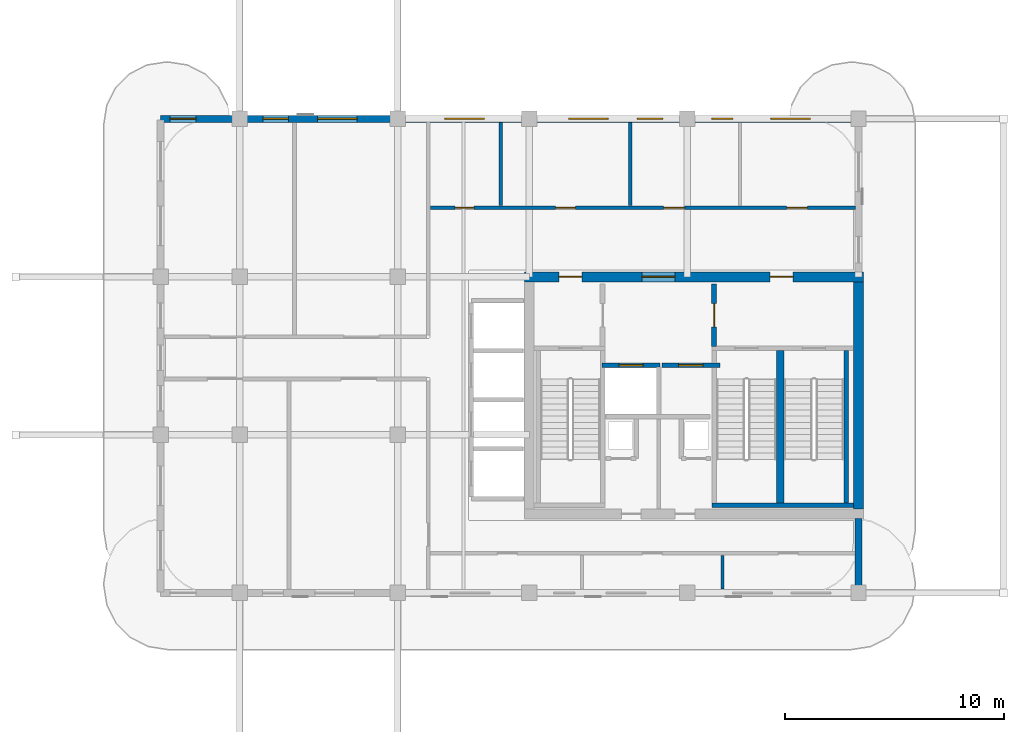
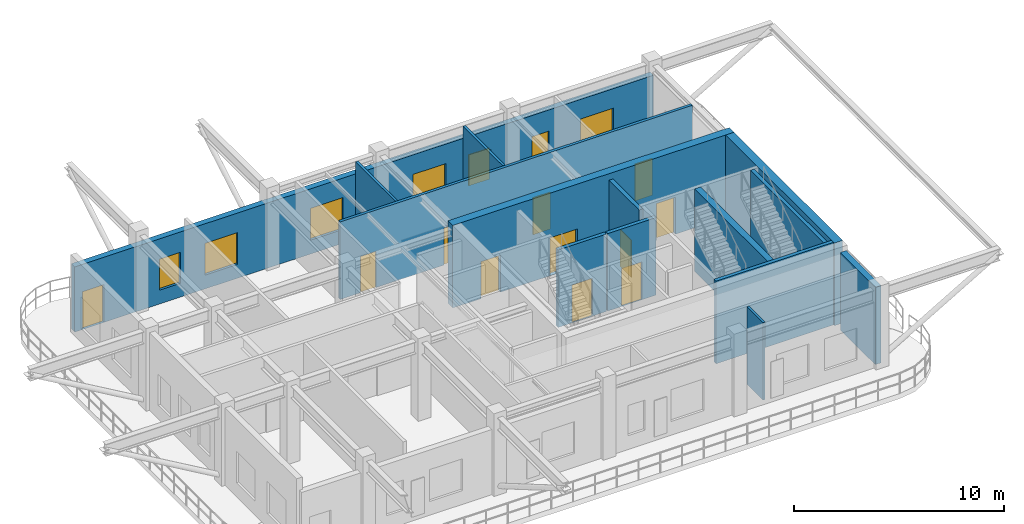
# One storey, part 4 of 8: 14 walls, 11 doors, 7 windows, 18 openings.
"""IFC4 building model written with IfcOpenShell, lengths in metres."""

from ifc_helpers import new_model, si_unit, derived_unit, direction, frame, frame_2d, origin, place, context, subcontext, project, spatial, rectangle, extrude, source, transform, mapped, material, layer, layer_set, type_object, type_shapes, element, fill, save


model = new_model("IFC4")

# Units and contexts
model_context = context("Model", 3, precision=1e-05, world=origin(), true_north=direction((0.0, 1.0)))
body_context = subcontext(model_context, "Body", "Model", "MODEL_VIEW")
ifc_project = project(units=[si_unit("LENGTHUNIT", "METRE"), si_unit("AREAUNIT", "SQUARE_METRE"), si_unit("VOLUMEUNIT", "CUBIC_METRE"), si_unit("PLANEANGLEUNIT", "RADIAN"), si_unit("MASSUNIT", "GRAM", prefix="KILO"), si_unit("THERMODYNAMICTEMPERATUREUNIT", "KELVIN"), si_unit("POWERUNIT", "WATT"), derived_unit("THERMALTRANSMITTANCEUNIT", [(si_unit("POWERUNIT", "WATT"), 1), (si_unit("AREAUNIT", "SQUARE_METRE"), -1), (si_unit("THERMODYNAMICTEMPERATUREUNIT", "KELVIN"), -1)])], contexts=[model_context])

# Site, building, storey
site_placement = place(None, origin())
site = spatial("IfcSite", under=ifc_project, at=site_placement, CompositionType="ELEMENT")
building_placement = place(site_placement, origin())
building = spatial("IfcBuilding", under=site, at=building_placement, Name="Zahravan Archway Hotel and Residences", CompositionType="ELEMENT")
storey_placement = place(building_placement, frame((0.0, 0.0, 294.300048828125)))
storey = spatial("IfcBuildingStorey", under=building, at=storey_placement, Name="L74", CompositionType="ELEMENT", Elevation=294.300048828125)

# Wall, openings, doors
ifc_material_1 = material(Name="Concrete C50/60", Category="concrete")
ifc_layer_1 = layer(ifc_material_1, 0.449951171875, Name="Concrete C50/60", Category="concrete")
ifc_layer_set_1 = layer_set([ifc_layer_1], Name="Concrete C50/60")
wall_type_1 = type_object("IfcWallType", Name="CW-CORE-450", PredefinedType="SHEAR", material=ifc_layer_set_1)
wall_1_placement = place(storey_placement, frame((34.574951171875, 14.39990234375, 0.0), z_axis=(0.0, 0.0, 1.0), x_axis=(1.0, 0.0, 0.0)))
wall_1 = element("IfcWall", 1, at=wall_1_placement, inside=storey, type_object=wall_type_1, Name="L74 Core A Shear N Wall 450 mm", PredefinedType="SHEAR", context=body_context, shape_type="SweptSolid", body=[
    extrude(rectangle(XDim=15.449951171875, YDim=0.449951171875, at=frame_2d((7.72509765625, 0.0))), origin(), (0.0, 0.0, 1.0), 4.800048828125),
])
opening_1_placement = place(wall_1_placement, frame((5.35498046875, 0.0, 0.0)))
opening_1 = element("IfcOpeningElement", 2, at=opening_1_placement, cuts=wall_1, Name="Opening FD-L1", PredefinedType="OPENING", context=body_context, shape_type="SweptSolid", body=[
    extrude(rectangle(XDim=1.5, YDim=2.199951171875, at=frame_2d((0.75, 1.10009765625))), frame((0.0, 0.23486328125, 0.0), z_axis=(0.0, -1.0, 0.0), x_axis=(1.0, 0.0, 0.0)), (0.0, 0.0, 1.0), 0.469970703125),
])
opening_2_placement = place(wall_1_placement, frame((1.570068359375, 0.0, 0.0)))
opening_2 = element("IfcOpeningElement", 3, at=opening_2_placement, cuts=wall_1, Name="Opening FD-L2", PredefinedType="OPENING", context=body_context, shape_type="SweptSolid", body=[
    extrude(rectangle(XDim=1.050048828125, YDim=2.14990234375, at=frame_2d((0.52490234375, 1.074951171875))), frame((0.0, 0.23486328125, 0.0), z_axis=(0.0, -1.0, 0.0), x_axis=(1.0, 0.0, 0.0)), (0.0, 0.0, 1.0), 0.469970703125),
])
opening_3_placement = place(wall_1_placement, frame((11.199951171875, 0.0, 0.0)))
opening_3 = element("IfcOpeningElement", 4, at=opening_3_placement, cuts=wall_1, Name="Opening FD-L2", PredefinedType="OPENING", context=body_context, shape_type="SweptSolid", body=[
    extrude(rectangle(XDim=1.050048828125, YDim=2.14990234375, at=frame_2d((0.52490234375, 1.074951171875))), frame((0.0, 0.23486328125, 0.0), z_axis=(0.0, -1.0, 0.0), x_axis=(1.0, 0.0, 0.0)), (0.0, 0.0, 1.0), 0.469970703125),
])
ifc_material_2 = material(Name="Fire-Rated Painted Steel", Category="steel")
door_type_1 = type_object("IfcDoorType", Name="FD-LOBBY-1100", OperationType="NOTDEFINED", PredefinedType="DOOR", material=ifc_material_2)
shared_shape_1 = source(origin(), body_context, "Body", "SweptSolid", [
    extrude(rectangle(XDim=1.050048828125, YDim=2.14990234375, at=frame_2d((0.52490234375, 1.074951171875))), frame((0.0, 0.02490234375, 0.0), z_axis=(0.0, -1.0, 0.0), x_axis=(1.0, 0.0, 0.0)), (0.0, 0.0, 1.0), 0.050048828125),
])
type_shapes(door_type_1, [shared_shape_1])
door_1_placement = place(opening_2_placement, origin())
door_1 = element("IfcDoor", 5, at=door_1_placement, inside=storey, type_object=door_type_1, Name="L74 Core A West Stair Lobby Door", OperationType="SINGLE_SWING_LEFT", OverallHeight=2.14990234375, OverallWidth=1.050048828125, PredefinedType="DOOR", context=body_context, shape_type="MappedRepresentation", body=[
    mapped(shared_shape_1, transform((0.0, 0.0, 0.0), scale=1.0)),
])
fill(opening_2, door_1)
door_2_placement = place(opening_3_placement, origin())
door_2 = element("IfcDoor", 6, at=door_2_placement, inside=storey, type_object=door_type_1, Name="L74 Core A East Stair Lobby Door", OperationType="SINGLE_SWING_RIGHT", OverallHeight=2.14990234375, OverallWidth=1.050048828125, PredefinedType="DOOR", context=body_context, shape_type="MappedRepresentation", body=[
    mapped(shared_shape_1, transform((0.0, 0.0, 0.0), scale=1.0)),
])
fill(opening_3, door_2)
door_type_2 = type_object("IfcDoorType", Name="FD-LOBBY-1500", OperationType="DOUBLE_DOOR_SINGLE_SWING", PredefinedType="DOOR", material=ifc_material_2)
shared_shape_2 = source(origin(), body_context, "Body", "SweptSolid", [
    extrude(rectangle(XDim=1.5, YDim=2.199951171875, at=frame_2d((0.75, 1.10009765625))), frame((0.0, 0.02490234375, 0.0), z_axis=(0.0, -1.0, 0.0), x_axis=(1.0, 0.0, 0.0)), (0.0, 0.0, 1.0), 0.050048828125),
])
type_shapes(door_type_2, [shared_shape_2])
door_3_placement = place(opening_1_placement, origin())
door_3 = element("IfcDoor", 7, at=door_3_placement, inside=storey, type_object=door_type_2, Name="L74 Core A FSAE Lobby Main Door", OperationType="DOUBLE_DOOR_SINGLE_SWING", OverallHeight=2.199951171875, OverallWidth=1.5, PredefinedType="DOOR", context=body_context, shape_type="MappedRepresentation", body=[
    mapped(shared_shape_2, transform((0.0, 0.0, 0.0), scale=1.0)),
])
fill(opening_1, door_3)

# Walls
wall_2_placement = place(storey_placement, frame((49.800048828125, 3.824951171875, 0.0), z_axis=(0.0, 0.0, 1.0), x_axis=(0.0, 1.0, 0.0)))
element("IfcWall", 8, at=wall_2_placement, inside=storey, type_object=wall_type_1, Name="L74 Core A Shear E Wall 450 mm", PredefinedType="SHEAR", context=body_context, shape_type="SweptSolid", body=[
    extrude(rectangle(XDim=10.35009765625, YDim=0.449951171875, at=frame_2d((5.175048828125, 0.0))), origin(), (0.0, 0.0, 1.0), 4.800048828125),
])
ifc_material_3 = material(Name="Agra Buff Sandstone & Insulated Backup", Category="masonry")
ifc_layer_2 = layer(ifc_material_3, 0.320068359375, Name="Agra Buff Sandstone & Insulated Backup", Category="masonry")
ifc_layer_set_2 = layer_set([ifc_layer_2], Name="Agra Buff Sandstone & Insulated Backup")
wall_type_2 = type_object("IfcWallType", Name="EW-SAND-320", PredefinedType="SOLIDWALL", material=ifc_layer_set_2)
wall_3_placement = place(storey_placement, frame((49.800048828125, 0.050048828125, 0.0), z_axis=(0.0, 0.0, 1.0), x_axis=(0.0, 1.0, 0.0)))
element("IfcWall", 9, at=wall_3_placement, inside=storey, type_object=wall_type_2, Name="L74 Exterior Sandstone Wall WA-ES", PredefinedType="SOLIDWALL", context=body_context, shape_type="SweptSolid", body=[
    extrude(rectangle(XDim=3.329833984375, YDim=0.320068359375, at=frame_2d((1.6650390625, 0.0))), origin(), (0.0, 0.0, 1.0), 4.5),
])

# Wall, openings, door, windows
wall_4_placement = place(storey_placement, frame((18.0, 21.60009765625, 0.0), z_axis=(0.0, 0.0, 1.0), x_axis=(1.0, 0.0, 0.0)))
wall_4 = element("IfcWall", 10, at=wall_4_placement, inside=storey, type_object=wall_type_2, Name="L74 Exterior Sandstone Wall WA-N", PredefinedType="SOLIDWALL", context=body_context, shape_type="SweptSolid", body=[
    extrude(rectangle(XDim=31.800048828125, YDim=0.320068359375, at=frame_2d((15.89990234375, 0.0))), origin(), (0.0, 0.0, 1.0), 3.784912109375),
])
opening_4_placement = place(wall_4_placement, frame((0.419921875, 0.0, 0.0)))
opening_4 = element("IfcOpeningElement", 11, at=opening_4_placement, cuts=wall_4, Name="Opening ED-BL1", PredefinedType="OPENING", context=body_context, shape_type="SweptSolid", body=[
    extrude(rectangle(XDim=1.199951171875, YDim=2.199951171875, at=frame_2d((0.60009765625, 1.10009765625))), frame((0.0, 0.169921875, 0.0), z_axis=(0.0, -1.0, 0.0), x_axis=(1.0, 0.0, 0.0)), (0.0, 0.0, 1.0), 0.340087890625),
])
opening_5_placement = place(wall_4_placement, frame((4.6708984375, 0.0, 0.800048828125)))
opening_5 = element("IfcOpeningElement", 12, at=opening_5_placement, cuts=wall_4, Name="Opening W-05", PredefinedType="OPENING", context=body_context, shape_type="SweptSolid", body=[
    extrude(rectangle(XDim=1.14990234375, YDim=1.800048828125, at=frame_2d((0.574951171875, 0.89990234375))), frame((0.0, 0.169921875, 0.0), z_axis=(0.0, -1.0, 0.0), x_axis=(1.0, 0.0, 0.0)), (0.0, 0.0, 1.0), 0.340087890625),
])
opening_6_placement = place(wall_4_placement, frame((7.154052734375, 0.0, 0.800048828125)))
opening_6 = element("IfcOpeningElement", 13, at=opening_6_placement, cuts=wall_4, Name="Opening W-02", PredefinedType="OPENING", context=body_context, shape_type="SweptSolid", body=[
    extrude(rectangle(XDim=1.800048828125, YDim=1.85009765625, at=frame_2d((0.89990234375, 0.925048828125))), frame((0.0, 0.169921875, 0.0), z_axis=(0.0, -1.0, 0.0), x_axis=(1.0, 0.0, 0.0)), (0.0, 0.0, 1.0), 0.340087890625),
])
opening_7_placement = place(wall_4_placement, frame((12.949951171875, 0.0, 0.800048828125)))
opening_7 = element("IfcOpeningElement", 14, at=opening_7_placement, cuts=wall_4, Name="Opening W-02", PredefinedType="OPENING", context=body_context, shape_type="SweptSolid", body=[
    extrude(rectangle(XDim=1.800048828125, YDim=1.85009765625, at=frame_2d((0.89990234375, 0.925048828125))), frame((0.0, 0.169921875, 0.0), z_axis=(0.0, -1.0, 0.0), x_axis=(1.0, 0.0, 0.0)), (0.0, 0.0, 1.0), 0.340087890625),
])
opening_8_placement = place(wall_4_placement, frame((18.595947265625, 0.0, 0.800048828125)))
opening_8 = element("IfcOpeningElement", 15, at=opening_8_placement, cuts=wall_4, Name="Opening W-02", PredefinedType="OPENING", context=body_context, shape_type="SweptSolid", body=[
    extrude(rectangle(XDim=1.800048828125, YDim=1.85009765625, at=frame_2d((0.89990234375, 0.925048828125))), frame((0.0, 0.169921875, 0.0), z_axis=(0.0, -1.0, 0.0), x_axis=(1.0, 0.0, 0.0)), (0.0, 0.0, 1.0), 0.340087890625),
])
opening_9_placement = place(wall_4_placement, frame((21.72900390625, 0.0, 0.800048828125)))
opening_9 = element("IfcOpeningElement", 16, at=opening_9_placement, cuts=wall_4, Name="Opening W-05", PredefinedType="OPENING", context=body_context, shape_type="SweptSolid", body=[
    extrude(rectangle(XDim=1.14990234375, YDim=1.800048828125, at=frame_2d((0.574951171875, 0.89990234375))), frame((0.0, 0.169921875, 0.0), z_axis=(0.0, -1.0, 0.0), x_axis=(1.0, 0.0, 0.0)), (0.0, 0.0, 1.0), 0.340087890625),
])
opening_10_placement = place(wall_4_placement, frame((25.12109375, 0.0, 0.800048828125)))
opening_10 = element("IfcOpeningElement", 17, at=opening_10_placement, cuts=wall_4, Name="Opening W-04", PredefinedType="OPENING", context=body_context, shape_type="SweptSolid", body=[
    extrude(rectangle(XDim=0.949951171875, YDim=1.75, at=frame_2d((0.47509765625, 0.875))), frame((0.0, 0.169921875, 0.0), z_axis=(0.0, -1.0, 0.0), x_axis=(1.0, 0.0, 0.0)), (0.0, 0.0, 1.0), 0.340087890625),
])
opening_11_placement = place(wall_4_placement, frame((27.803955078125, 0.0, 0.800048828125)))
opening_11 = element("IfcOpeningElement", 18, at=opening_11_placement, cuts=wall_4, Name="Opening W-02", PredefinedType="OPENING", context=body_context, shape_type="SweptSolid", body=[
    extrude(rectangle(XDim=1.800048828125, YDim=1.85009765625, at=frame_2d((0.89990234375, 0.925048828125))), frame((0.0, 0.169921875, 0.0), z_axis=(0.0, -1.0, 0.0), x_axis=(1.0, 0.0, 0.0)), (0.0, 0.0, 1.0), 0.340087890625),
])
ifc_material_4 = material(Name="Bronze-Anodized Glazed Aluminium", Category="aluminium")
door_type_3 = type_object("IfcDoorType", Name="ED-BALC-1200", OperationType="SLIDING_TO_LEFT", PredefinedType="DOOR", material=ifc_material_4)
shared_shape_3 = source(origin(), body_context, "Body", "SweptSolid", [
    extrude(rectangle(XDim=1.199951171875, YDim=2.199951171875, at=frame_2d((0.60009765625, 1.10009765625))), frame((0.0, 0.02490234375, 0.0), z_axis=(0.0, -1.0, 0.0), x_axis=(1.0, 0.0, 0.0)), (0.0, 0.0, 1.0), 0.050048828125),
])
type_shapes(door_type_3, [shared_shape_3])
door_4_placement = place(opening_4_placement, origin())
door_4 = element("IfcDoor", 19, at=door_4_placement, inside=storey, type_object=door_type_3, Name="L74 Outdoor Access Sliding Door (SLB-BAL-L74-WA)", OperationType="SLIDING_TO_LEFT", OverallHeight=2.199951171875, OverallWidth=1.199951171875, PredefinedType="DOOR", context=body_context, shape_type="MappedRepresentation", body=[
    mapped(shared_shape_3, transform((0.0, 0.0, 0.0), scale=1.0)),
])
fill(opening_4, door_4)
ifc_material_5 = material(Name="Bronze-Anodized Thermal-Break Aluminium & Low-E Glass", Category="aluminium")
window_type_1 = type_object("IfcWindowType", Name="WIN-NAR-950", PartitioningType="SINGLE_PANEL", PredefinedType="WINDOW", material=ifc_material_5)
shared_shape_4 = source(origin(), body_context, "Body", "SweptSolid", [
    extrude(rectangle(XDim=0.949951171875, YDim=1.75, at=frame_2d((0.47509765625, 0.875))), frame((0.0, 0.030029296875, 0.0), z_axis=(0.0, -1.0, 0.0), x_axis=(1.0, 0.0, 0.0)), (0.0, 0.0, 1.0), 0.06005859375),
])
type_shapes(window_type_1, [shared_shape_4])
window_1_placement = place(opening_10_placement, origin())
window_1 = element("IfcWindow", 20, at=window_1_placement, inside=storey, type_object=window_type_1, Name="L74 Loggia Window 14", OverallHeight=1.75, OverallWidth=0.949951171875, PartitioningType="SINGLE_PANEL", PredefinedType="WINDOW", context=body_context, shape_type="MappedRepresentation", body=[
    mapped(shared_shape_4, transform((0.0, 0.0, 0.0), scale=1.0)),
])
fill(opening_10, window_1)
window_type_2 = type_object("IfcWindowType", Name="WIN-TWR-1800", PartitioningType="DOUBLE_PANEL_VERTICAL", PredefinedType="WINDOW", material=ifc_material_5)
shared_shape_5 = source(origin(), body_context, "Body", "SweptSolid", [
    extrude(rectangle(XDim=1.800048828125, YDim=1.85009765625, at=frame_2d((0.89990234375, 0.925048828125))), frame((0.0, 0.030029296875, 0.0), z_axis=(0.0, -1.0, 0.0), x_axis=(1.0, 0.0, 0.0)), (0.0, 0.0, 1.0), 0.06005859375),
])
type_shapes(window_type_2, [shared_shape_5])
window_2_placement = place(opening_6_placement, origin())
window_2 = element("IfcWindow", 21, at=window_2_placement, inside=storey, type_object=window_type_2, Name="L74 Loggia Window 10", OverallHeight=1.85009765625, OverallWidth=1.800048828125, PartitioningType="DOUBLE_PANEL_VERTICAL", PredefinedType="WINDOW", context=body_context, shape_type="MappedRepresentation", body=[
    mapped(shared_shape_5, transform((0.0, 0.0, 0.0), scale=1.0)),
])
fill(opening_6, window_2)
window_3_placement = place(opening_7_placement, origin())
window_3 = element("IfcWindow", 22, at=window_3_placement, inside=storey, type_object=window_type_2, Name="L74 Loggia Window 11", OverallHeight=1.85009765625, OverallWidth=1.800048828125, PartitioningType="DOUBLE_PANEL_VERTICAL", PredefinedType="WINDOW", context=body_context, shape_type="MappedRepresentation", body=[
    mapped(shared_shape_5, transform((0.0, 0.0, 0.0), scale=1.0)),
])
fill(opening_7, window_3)
window_4_placement = place(opening_8_placement, origin())
window_4 = element("IfcWindow", 23, at=window_4_placement, inside=storey, type_object=window_type_2, Name="L74 Loggia Window 12", OverallHeight=1.85009765625, OverallWidth=1.800048828125, PartitioningType="DOUBLE_PANEL_VERTICAL", PredefinedType="WINDOW", context=body_context, shape_type="MappedRepresentation", body=[
    mapped(shared_shape_5, transform((0.0, 0.0, 0.0), scale=1.0)),
])
fill(opening_8, window_4)
window_5_placement = place(opening_11_placement, origin())
window_5 = element("IfcWindow", 24, at=window_5_placement, inside=storey, type_object=window_type_2, Name="L74 Loggia Window 15", OverallHeight=1.85009765625, OverallWidth=1.800048828125, PartitioningType="DOUBLE_PANEL_VERTICAL", PredefinedType="WINDOW", context=body_context, shape_type="MappedRepresentation", body=[
    mapped(shared_shape_5, transform((0.0, 0.0, 0.0), scale=1.0)),
])
fill(opening_11, window_5)
window_type_3 = type_object("IfcWindowType", Name="WIN-TWR-1150", PartitioningType="SINGLE_PANEL", PredefinedType="WINDOW", material=ifc_material_5)
shared_shape_6 = source(origin(), body_context, "Body", "SweptSolid", [
    extrude(rectangle(XDim=1.14990234375, YDim=1.800048828125, at=frame_2d((0.574951171875, 0.89990234375))), frame((0.0, 0.030029296875, 0.0), z_axis=(0.0, -1.0, 0.0), x_axis=(1.0, 0.0, 0.0)), (0.0, 0.0, 1.0), 0.06005859375),
])
type_shapes(window_type_3, [shared_shape_6])
window_6_placement = place(opening_5_placement, origin())
window_6 = element("IfcWindow", 25, at=window_6_placement, inside=storey, type_object=window_type_3, Name="L74 Loggia Window 09", OverallHeight=1.800048828125, OverallWidth=1.14990234375, PartitioningType="SINGLE_PANEL", PredefinedType="WINDOW", context=body_context, shape_type="MappedRepresentation", body=[
    mapped(shared_shape_6, transform((0.0, 0.0, 0.0), scale=1.0)),
])
fill(opening_5, window_6)
window_7_placement = place(opening_9_placement, origin())
window_7 = element("IfcWindow", 26, at=window_7_placement, inside=storey, type_object=window_type_3, Name="L74 Loggia Window 13", OverallHeight=1.800048828125, OverallWidth=1.14990234375, PartitioningType="SINGLE_PANEL", PredefinedType="WINDOW", context=body_context, shape_type="MappedRepresentation", body=[
    mapped(shared_shape_6, transform((0.0, 0.0, 0.0), scale=1.0)),
])
fill(opening_9, window_7)

# Wall, opening, door
ifc_material_6 = material(Name="Fire-Rated Gypsum & Concrete Block", Category="concrete")
ifc_layer_3 = layer(ifc_material_6, 0.219970703125, Name="Fire-Rated Gypsum & Concrete Block", Category="concrete")
ifc_layer_set_3 = layer_set([ifc_layer_3], Name="Fire-Rated Gypsum & Concrete Block")
wall_type_3 = type_object("IfcWallType", Name="PW-COMP-220", PredefinedType="PARTITIONING", material=ifc_layer_set_3)
wall_5_placement = place(storey_placement, frame((43.219970703125, 11.219970703125, 0.0), z_axis=(0.0, 0.0, 1.0), x_axis=(0.0, 1.0, 0.0)))
wall_5 = element("IfcWall", 27, at=wall_5_placement, inside=storey, type_object=wall_type_3, Name="L74 Partition CA-LOBE", PredefinedType="PARTITIONING", context=body_context, shape_type="SweptSolid", body=[
    extrude(rectangle(XDim=2.860107421875, YDim=0.219970703125, at=frame_2d((1.43017578125, 0.0))), origin(), (0.0, 0.0, 1.0), 4.5),
])
opening_12_placement = place(wall_5_placement, frame((0.905029296875, 0.0, 0.0)))
opening_12 = element("IfcOpeningElement", 28, at=opening_12_placement, cuts=wall_5, Name="Opening FD-L2", PredefinedType="OPENING", context=body_context, shape_type="SweptSolid", body=[
    extrude(rectangle(XDim=1.050048828125, YDim=2.14990234375, at=frame_2d((0.52490234375, 1.074951171875))), frame((0.0, 0.1201171875, 0.0), z_axis=(0.0, -1.0, 0.0), x_axis=(1.0, 0.0, 0.0)), (0.0, 0.0, 1.0), 0.239990234375),
])
door_5_placement = place(opening_12_placement, origin())
door_5 = element("IfcDoor", 29, at=door_5_placement, inside=storey, type_object=door_type_1, Name="L74 Core A East Stair to FSAE Lobby Door", OperationType="SINGLE_SWING_RIGHT", OverallHeight=2.14990234375, OverallWidth=1.050048828125, PredefinedType="DOOR", context=body_context, shape_type="MappedRepresentation", body=[
    mapped(shared_shape_1, transform((0.0, 0.0, 0.0), scale=1.0)),
])
fill(opening_12, door_5)

# Wall, openings, doors
ifc_layer_4 = layer(ifc_material_6, 0.159912109375, Name="Fire-Rated Gypsum & Concrete Block", Category="concrete")
ifc_layer_set_4 = layer_set([ifc_layer_4], Name="Fire-Rated Gypsum & Concrete Block")
wall_type_4 = type_object("IfcWallType", Name="PW-CORR-160", PredefinedType="PARTITIONING", material=ifc_layer_set_4)
wall_6_placement = place(storey_placement, frame((30.2900390625, 17.550048828125, 0.0), z_axis=(0.0, 0.0, 1.0), x_axis=(1.0, 0.0, 0.0)))
wall_6 = element("IfcWall", 30, at=wall_6_placement, inside=storey, type_object=wall_type_4, Name="L74 Partition WA-FN", PredefinedType="PARTITIONING", context=body_context, shape_type="SweptSolid", body=[
    extrude(rectangle(XDim=19.369873046875, YDim=0.159912109375, at=frame_2d((9.68505859375, 0.0))), origin(), (0.0, 0.0, 1.0), 4.5),
])
opening_13_placement = place(wall_6_placement, frame((1.135009765625, 0.0, 0.0)))
opening_13 = element("IfcOpeningElement", 31, at=opening_13_placement, cuts=wall_6, Name="Opening D-B1", PredefinedType="OPENING", context=body_context, shape_type="SweptSolid", body=[
    extrude(rectangle(XDim=0.85009765625, YDim=2.10009765625, at=frame_2d((0.425048828125, 1.050048828125))), frame((0.0, 0.08984375, 0.0), z_axis=(0.0, -1.0, 0.0), x_axis=(1.0, 0.0, 0.0)), (0.0, 0.0, 1.0), 0.179931640625),
])
opening_14_placement = place(wall_6_placement, frame((5.7099609375, 0.0, 0.0)))
opening_14 = element("IfcOpeningElement", 32, at=opening_14_placement, cuts=wall_6, Name="Opening D-I2", PredefinedType="OPENING", context=body_context, shape_type="SweptSolid", body=[
    extrude(rectangle(XDim=0.89990234375, YDim=2.14990234375, at=frame_2d((0.449951171875, 1.074951171875))), frame((0.0, 0.08984375, 0.0), z_axis=(0.0, -1.0, 0.0), x_axis=(1.0, 0.0, 0.0)), (0.0, 0.0, 1.0), 0.179931640625),
])
opening_15_placement = place(wall_6_placement, frame((10.635009765625, 0.0, 0.0)))
opening_15 = element("IfcOpeningElement", 33, at=opening_15_placement, cuts=wall_6, Name="Opening D-I1", PredefinedType="OPENING", context=body_context, shape_type="SweptSolid", body=[
    extrude(rectangle(XDim=0.949951171875, YDim=2.14990234375, at=frame_2d((0.47509765625, 1.074951171875))), frame((0.0, 0.08984375, 0.0), z_axis=(0.0, -1.0, 0.0), x_axis=(1.0, 0.0, 0.0)), (0.0, 0.0, 1.0), 0.179931640625),
])
opening_16_placement = place(wall_6_placement, frame((16.235107421875, 0.0, 0.0)))
opening_16 = element("IfcOpeningElement", 34, at=opening_16_placement, cuts=wall_6, Name="Opening D-I1", PredefinedType="OPENING", context=body_context, shape_type="SweptSolid", body=[
    extrude(rectangle(XDim=0.949951171875, YDim=2.14990234375, at=frame_2d((0.47509765625, 1.074951171875))), frame((0.0, 0.08984375, 0.0), z_axis=(0.0, -1.0, 0.0), x_axis=(1.0, 0.0, 0.0)), (0.0, 0.0, 1.0), 0.179931640625),
])
ifc_material_7 = material(Name="Hardwood Veneer Timber", Category="wood")
door_type_4 = type_object("IfcDoorType", Name="ID-BATH-850", OperationType="NOTDEFINED", PredefinedType="DOOR", material=ifc_material_7)
shared_shape_7 = source(origin(), body_context, "Body", "SweptSolid", [
    extrude(rectangle(XDim=0.85009765625, YDim=2.10009765625, at=frame_2d((0.425048828125, 1.050048828125))), frame((0.0, 0.02490234375, 0.0), z_axis=(0.0, -1.0, 0.0), x_axis=(1.0, 0.0, 0.0)), (0.0, 0.0, 1.0), 0.050048828125),
])
type_shapes(door_type_4, [shared_shape_7])
door_6_placement = place(opening_13_placement, origin())
door_6 = element("IfcDoor", 35, at=door_6_placement, inside=storey, type_object=door_type_4, Name="L74 Accessible WC Door", OperationType="SINGLE_SWING_LEFT", OverallHeight=2.10009765625, OverallWidth=0.85009765625, PredefinedType="DOOR", context=body_context, shape_type="MappedRepresentation", body=[
    mapped(shared_shape_7, transform((0.0, 0.0, 0.0), scale=1.0)),
])
fill(opening_13, door_6)
door_type_5 = type_object("IfcDoorType", Name="ID-INT-950", OperationType="NOTDEFINED", PredefinedType="DOOR", material=ifc_material_7)
shared_shape_8 = source(origin(), body_context, "Body", "SweptSolid", [
    extrude(rectangle(XDim=0.949951171875, YDim=2.14990234375, at=frame_2d((0.47509765625, 1.074951171875))), frame((0.0, 0.02490234375, 0.0), z_axis=(0.0, -1.0, 0.0), x_axis=(1.0, 0.0, 0.0)), (0.0, 0.0, 1.0), 0.050048828125),
])
type_shapes(door_type_5, [shared_shape_8])
door_7_placement = place(opening_15_placement, origin())
door_7 = element("IfcDoor", 36, at=door_7_placement, inside=storey, type_object=door_type_5, Name="L74 Boardroom Door", OperationType="SINGLE_SWING_LEFT", OverallHeight=2.14990234375, OverallWidth=0.949951171875, PredefinedType="DOOR", context=body_context, shape_type="MappedRepresentation", body=[
    mapped(shared_shape_8, transform((0.0, 0.0, 0.0), scale=1.0)),
])
fill(opening_15, door_7)
door_8_placement = place(opening_16_placement, origin())
door_8 = element("IfcDoor", 37, at=door_8_placement, inside=storey, type_object=door_type_5, Name="L74 Therapy Clinic Door", OperationType="SINGLE_SWING_RIGHT", OverallHeight=2.14990234375, OverallWidth=0.949951171875, PredefinedType="DOOR", context=body_context, shape_type="MappedRepresentation", body=[
    mapped(shared_shape_8, transform((0.0, 0.0, 0.0), scale=1.0)),
])
fill(opening_16, door_8)
door_type_6 = type_object("IfcDoorType", Name="ID-INT-900", OperationType="NOTDEFINED", PredefinedType="DOOR", material=ifc_material_7)
shared_shape_9 = source(origin(), body_context, "Body", "SweptSolid", [
    extrude(rectangle(XDim=0.89990234375, YDim=2.14990234375, at=frame_2d((0.449951171875, 1.074951171875))), frame((0.0, 0.02490234375, 0.0), z_axis=(0.0, -1.0, 0.0), x_axis=(1.0, 0.0, 0.0)), (0.0, 0.0, 1.0), 0.050048828125),
])
type_shapes(door_type_6, [shared_shape_9])
door_9_placement = place(opening_14_placement, origin())
door_9 = element("IfcDoor", 38, at=door_9_placement, inside=storey, type_object=door_type_6, Name="L74 Pantry Door", OperationType="SINGLE_SWING_RIGHT", OverallHeight=2.14990234375, OverallWidth=0.89990234375, PredefinedType="DOOR", context=body_context, shape_type="MappedRepresentation", body=[
    mapped(shared_shape_9, transform((0.0, 0.0, 0.0), scale=1.0)),
])
fill(opening_14, door_9)

# Wall
ifc_material_8 = material(Name="Acoustic Stud Partition")
ifc_layer_5 = layer(ifc_material_8, 0.125, Name="Acoustic Stud Partition")
ifc_layer_set_5 = layer_set([ifc_layer_5], Name="Acoustic Stud Partition")
wall_type_5 = type_object("IfcWallType", Name="PW-INT-125", PredefinedType="PARTITIONING", material=ifc_layer_set_5)
wall_7_placement = place(storey_placement, frame((43.60009765625, 0.16796875, 0.0), z_axis=(0.0, 0.0, 1.0), x_axis=(0.0, 1.0, 0.0)))
element("IfcWall", 39, at=wall_7_placement, inside=storey, type_object=wall_type_5, Name="L74 Partition S-DIV2B", PredefinedType="PARTITIONING", context=body_context, shape_type="SweptSolid", body=[
    extrude(rectangle(XDim=1.5419921875, YDim=0.125, at=frame_2d((0.77099609375, 0.0))), origin(), (0.0, 0.0, 1.0), 4.5),
])

# Wall, opening, door
ifc_layer_6 = layer(ifc_material_6, 0.199951171875, Name="Fire-Rated Gypsum & Concrete Block", Category="concrete")
ifc_layer_set_6 = layer_set([ifc_layer_6], Name="Fire-Rated Gypsum & Concrete Block")
wall_type_6 = type_object("IfcWallType", Name="PW-SHAFT-200", PredefinedType="PARTITIONING", material=ifc_layer_set_6)
wall_8_placement = place(storey_placement, frame((38.1201171875, 10.3701171875, 0.0), z_axis=(0.0, 0.0, 1.0), x_axis=(1.0, 0.0, 0.0)))
wall_8 = element("IfcWall", 40, at=wall_8_placement, inside=storey, type_object=wall_type_6, Name="L74 Lift FL-1 Front Wall", PredefinedType="PARTITIONING", context=body_context, shape_type="SweptSolid", body=[
    extrude(rectangle(XDim=2.639892578125, YDim=0.199951171875, at=frame_2d((1.31982421875, 0.0))), origin(), (0.0, 0.0, 1.0), 4.5),
])
opening_17_placement = place(wall_8_placement, frame((0.77001953125, 0.0, 0.0)))
opening_17 = element("IfcOpeningElement", 41, at=opening_17_placement, cuts=wall_8, Name="Opening LD", PredefinedType="OPENING", context=body_context, shape_type="SweptSolid", body=[
    extrude(rectangle(XDim=1.10009765625, YDim=2.199951171875, at=frame_2d((0.550048828125, 1.10009765625))), frame((0.0, 0.10986328125, 0.0), z_axis=(0.0, -1.0, 0.0), x_axis=(1.0, 0.0, 0.0)), (0.0, 0.0, 1.0), 0.219970703125),
])
ifc_material_9 = material(Name="Brushed Stainless Steel", Category="steel")
door_type_7 = type_object("IfcDoorType", Name="DR-LIFT-LD", OperationType="SLIDING_TO_LEFT", PredefinedType="DOOR", material=ifc_material_9)
shared_shape_10 = source(origin(), body_context, "Body", "SweptSolid", [
    extrude(rectangle(XDim=1.10009765625, YDim=2.199951171875, at=frame_2d((0.550048828125, 1.10009765625))), frame((0.0, 0.02490234375, 0.0), z_axis=(0.0, -1.0, 0.0), x_axis=(1.0, 0.0, 0.0)), (0.0, 0.0, 1.0), 0.050048828125),
])
type_shapes(door_type_7, [shared_shape_10])
door_10_placement = place(opening_17_placement, origin())
door_10 = element("IfcDoor", 42, at=door_10_placement, inside=storey, type_object=door_type_7, Name="L74 Lift FL-1 Sliding Landing Door", OperationType="SLIDING_TO_LEFT", OverallHeight=2.199951171875, OverallWidth=1.10009765625, PredefinedType="DOOR", context=body_context, shape_type="MappedRepresentation", body=[
    mapped(shared_shape_10, transform((0.0, 0.0, 0.0), scale=1.0)),
])
fill(opening_17, door_10)

wall_9_placement = place(storey_placement, frame((40.840087890625, 10.3701171875, 0.0), z_axis=(0.0, 0.0, 1.0), x_axis=(1.0, 0.0, 0.0)))
wall_9 = element("IfcWall", 43, at=wall_9_placement, inside=storey, type_object=wall_type_6, Name="L74 Lift FL-2 Front Wall", PredefinedType="PARTITIONING", context=body_context, shape_type="SweptSolid", body=[
    extrude(rectangle(XDim=2.639892578125, YDim=0.199951171875, at=frame_2d((1.31982421875, 0.0))), origin(), (0.0, 0.0, 1.0), 4.5),
])
opening_18_placement = place(wall_9_placement, frame((0.77001953125, 0.0, 0.0)))
opening_18 = element("IfcOpeningElement", 44, at=opening_18_placement, cuts=wall_9, Name="Opening LD", PredefinedType="OPENING", context=body_context, shape_type="SweptSolid", body=[
    extrude(rectangle(XDim=1.10009765625, YDim=2.199951171875, at=frame_2d((0.550048828125, 1.10009765625))), frame((0.0, 0.10986328125, 0.0), z_axis=(0.0, -1.0, 0.0), x_axis=(1.0, 0.0, 0.0)), (0.0, 0.0, 1.0), 0.219970703125),
])
door_11_placement = place(opening_18_placement, origin())
door_11 = element("IfcDoor", 45, at=door_11_placement, inside=storey, type_object=door_type_7, Name="L74 Lift FL-2 Sliding Landing Door", OperationType="SLIDING_TO_LEFT", OverallHeight=2.199951171875, OverallWidth=1.10009765625, PredefinedType="DOOR", context=body_context, shape_type="MappedRepresentation", body=[
    mapped(shared_shape_10, transform((0.0, 0.0, 0.0), scale=1.0)),
])
fill(opening_18, door_11)

# Walls
ifc_material_10 = material(Name="Moisture-Resistant Blockwork", Category="masonry")
ifc_layer_7 = layer(ifc_material_10, 0.139892578125, Name="Moisture-Resistant Blockwork", Category="masonry")
ifc_layer_set_7 = layer_set([ifc_layer_7], Name="Moisture-Resistant Blockwork")
wall_type_7 = type_object("IfcWallType", Name="PW-WET-140", PredefinedType="PARTITIONING", material=ifc_layer_set_7)
for number, where, z_axis, x_axis, name in (
    (46, (33.5, 17.639892578125, 0.0), (0.0, 0.0, 1.0), (0.0, 1.0, 0.0), "L74 Partition NE2-1"),
    (47, (39.39990234375, 17.639892578125, 0.0), (0.0, 0.0, 1.0), (0.0, 1.0, 0.0), "L74 Partition NE2-2"),
):
    element("IfcWall", number, at=place(storey_placement, frame(where, z_axis=z_axis, x_axis=x_axis)), inside=storey, type_object=wall_type_7, Name=name, PredefinedType="PARTITIONING", context=body_context, shape_type="SweptSolid", body=[
        extrude(rectangle(XDim=3.7919921875, YDim=0.139892578125, at=frame_2d((1.89599609375, 0.0))), origin(), (0.0, 0.0, 1.0), 4.5),
    ])
ifc_layer_8 = layer(ifc_material_1, 0.199951171875, Name="Concrete C50/60", Category="concrete")
ifc_layer_set_8 = layer_set([ifc_layer_8], Name="Concrete C50/60")
wall_type_8 = type_object("IfcWallType", Name="SW-STAIR-200", PredefinedType="SHEAR", material=ifc_layer_set_8)
wall_10_placement = place(storey_placement, frame((43.1201171875, 4.0, 0.0), z_axis=(0.0, 0.0, 1.0), x_axis=(1.0, 0.0, 0.0)))
element("IfcWall", 48, at=wall_10_placement, inside=storey, type_object=wall_type_8, Name="L74 Stairwell RC Wall CA-SA23S", PredefinedType="SHEAR", context=body_context, shape_type="SweptSolid", body=[
    extrude(rectangle(XDim=6.454833984375, YDim=0.199951171875, at=frame_2d((3.2275390625, 0.0))), origin(), (0.0, 0.0, 1.0), 4.800048828125),
])
wall_11_placement = place(storey_placement, frame((49.239990234375, 4.10009765625, 0.0), z_axis=(0.0, 0.0, 1.0), x_axis=(0.0, 1.0, 0.0)))
element("IfcWall", 49, at=wall_11_placement, inside=storey, type_object=wall_type_8, Name="L74 Stairwell RC Wall CA-SA3E", PredefinedType="SHEAR", context=body_context, shape_type="SweptSolid", body=[
    extrude(rectangle(XDim=6.949951171875, YDim=0.199951171875, at=frame_2d((3.47509765625, 0.0))), origin(), (0.0, 0.0, 1.0), 4.800048828125),
])
ifc_layer_9 = layer(ifc_material_1, 0.340087890625, Name="Concrete C50/60", Category="concrete")
ifc_layer_set_9 = layer_set([ifc_layer_9], Name="Concrete C50/60")
wall_type_9 = type_object("IfcWallType", Name="SW-STAIR-340", PredefinedType="SHEAR", material=ifc_layer_set_9)
wall_12_placement = place(storey_placement, frame((46.22998046875, 4.10009765625, 0.0), z_axis=(0.0, 0.0, 1.0), x_axis=(0.0, 1.0, 0.0)))
element("IfcWall", 50, at=wall_12_placement, inside=storey, type_object=wall_type_9, Name="L74 Stairwell RC Wall CA-SA23M", PredefinedType="SHEAR", context=body_context, shape_type="SweptSolid", body=[
    extrude(rectangle(XDim=6.949951171875, YDim=0.340087890625, at=frame_2d((3.47509765625, 0.0))), origin(), (0.0, 0.0, 1.0), 4.800048828125),
])

save(model, "model.ifc")
